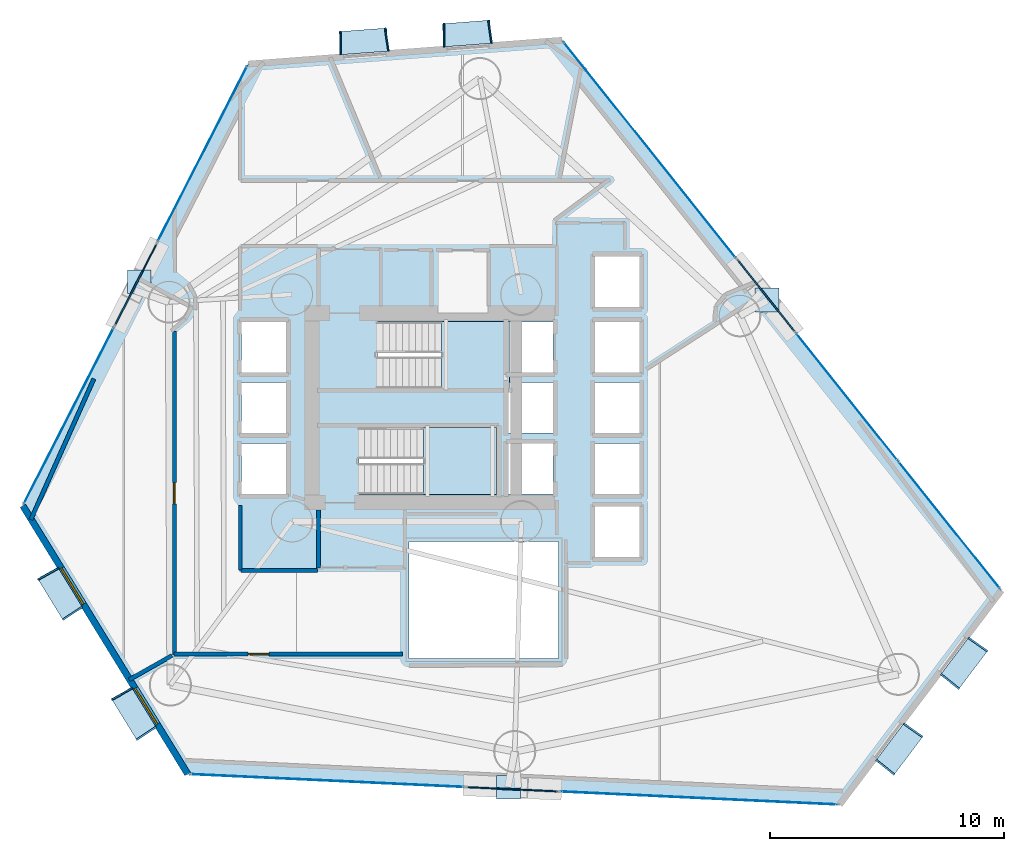
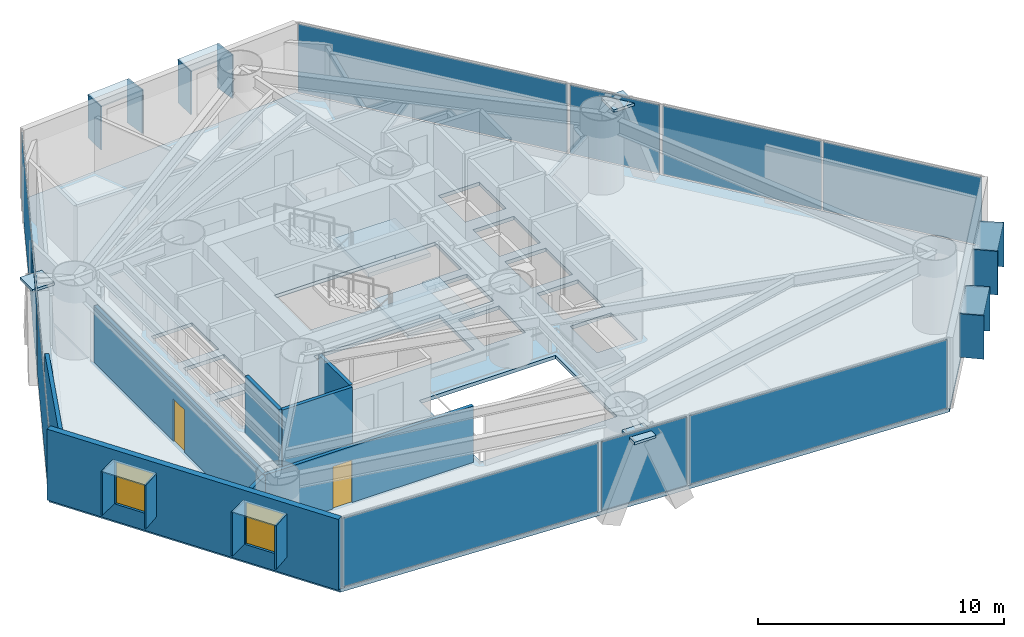
# One storey, part 16 of 23: 31 plates, 8 walls, 3 slabs, 2 doors, 2 windows, 4 openings, 11 elements without a shape of their own.
"""IFC4 building model written with IfcOpenShell, lengths in metres."""

import ifcopenshell
import ifcopenshell.guid

model = None  # the IFC model being written
_history = None  # IfcOwnerHistory: only IFC2X3 demands one
_inside = {}  # id of a spatial element -> (the spatial element, [elements in it])
_under = {}  # id of a project, library or spatial element -> (it, [spatial elements below it])
_declared = {}  # id of a project -> (the project, [libraries it declares])
_typed = {}  # id of a type object -> (the type object, [elements of that type])
_made_of = {}  # id of a material, layer set ... -> (it, [elements and type objects made of it])


def new_model(schema):
    """Start an empty IFC model of exactly this schema.

    Asked for "IFC4X3", IfcOpenShell would pick the latest addendum, in which some entities
    have other attributes; the version numbers below select the first issue.
    IFC2X3 requires an IfcOwnerHistory on every rooted entity: one is made here for all.
    """
    global model, _history
    if schema == "IFC4X3":
        model = ifcopenshell.file(schema_version=(4, 3, 0, 0))
    else:
        model = ifcopenshell.file(schema=schema)
    _inside.clear()
    _under.clear()
    _declared.clear()
    _typed.clear()
    _made_of.clear()
    _history = None
    if model.schema == "IFC2X3":
        org = make("IfcOrganization", Name="unknown")
        user = make(
            "IfcPersonAndOrganization",
            ThePerson=make("IfcPerson", FamilyName="unknown"),
            TheOrganization=org,
        )
        app = make(
            "IfcApplication",
            ApplicationDeveloper=org,
            Version="unknown",
            ApplicationFullName="unknown",
            ApplicationIdentifier="unknown",
        )
        _history = make(
            "IfcOwnerHistory",
            OwningUser=user,
            OwningApplication=app,
            ChangeAction="ADDED",
            CreationDate=0,
        )
    return model


def make(cls, **values):
    """One entity of the class cls with the attributes given. An attribute that is None is left unset."""
    return model.create_entity(
        cls, **{name: value for name, value in values.items() if value is not None}
    )


def rooted(cls, **values):
    """An entity with a GlobalId (a new one), such as an element, a storey or a relation."""
    return make(cls, GlobalId=ifcopenshell.guid.new(), OwnerHistory=_history, **values)


def si_unit(unit_type, name, prefix=None):
    """IfcSIUnit, for example si_unit("LENGTHUNIT", "METRE", prefix="MILLI")."""
    return make("IfcSIUnit", UnitType=unit_type, Prefix=prefix, Name=name)


def assignment(units):
    """IfcUnitAssignment: the units of a project."""
    return None if units is None else make("IfcUnitAssignment", Units=units)


def point(xyz):
    """IfcCartesianPoint."""
    return None if xyz is None else make("IfcCartesianPoint", Coordinates=xyz)


def direction(xyz):
    """IfcDirection."""
    return None if xyz is None else make("IfcDirection", DirectionRatios=xyz)


def frame(location, z_axis=None, x_axis=None):
    """IfcAxis2Placement3D, a coordinate frame: its origin and axes. An axis left out is left unset."""
    return make(
        "IfcAxis2Placement3D",
        Location=point(location),
        Axis=direction(z_axis),
        RefDirection=direction(x_axis),
    )


def frame_2d(location, x_axis=None):
    """IfcAxis2Placement2D, a coordinate frame in the plane: its origin and x axis."""
    return make(
        "IfcAxis2Placement2D", Location=point(location), RefDirection=direction(x_axis)
    )


def origin():
    """The frame at (0, 0, 0) with its axes left unset."""
    return frame((0.0, 0.0, 0.0))


def origin_2d():
    """The frame at (0, 0) in the plane with its x axis left unset."""
    return frame_2d((0.0, 0.0))


def place(relative_to, where):
    """IfcLocalPlacement: puts the frame where relative to a parent placement (None: the world)."""
    return make(
        "IfcLocalPlacement", PlacementRelTo=relative_to, RelativePlacement=where
    )


def context(
    kind, dimensions, precision=None, world=None, true_north=None, identifier=None
):
    """IfcGeometricRepresentationContext, for example the 3D "Model" context."""
    return make(
        "IfcGeometricRepresentationContext",
        ContextIdentifier=identifier,
        ContextType=kind,
        CoordinateSpaceDimension=dimensions,
        Precision=precision,
        WorldCoordinateSystem=world,
        TrueNorth=true_north,
    )


def subcontext(parent, identifier, kind, view, scale=None):
    """IfcGeometricRepresentationSubContext, for example "Body" below "Model"."""
    return make(
        "IfcGeometricRepresentationSubContext",
        ContextIdentifier=identifier,
        ContextType=kind,
        ParentContext=parent,
        TargetScale=scale,
        TargetView=view,
    )


def project(units=None, contexts=None):
    """IfcProject with its units and contexts."""
    return rooted(
        "IfcProject",
        Name="project",
        RepresentationContexts=contexts,
        UnitsInContext=assignment(units),
    )


def spatial(cls, under=None, at=None, **own):
    """A site, building, storey or space (cls), placed at a placement, below another one or the project."""
    s = rooted(cls, ObjectPlacement=at, **own)
    if under is not None:
        _under.setdefault(under.id(), (under, []))[1].append(s)
    return s


def polyline(points):
    """IfcPolyline through the points."""
    return make("IfcPolyline", Points=[point(p) for p in points])


def profile(cls, at=None, kind="AREA", **sizes):
    """A parametric profile (cls). Its sizes go by their IFC names, for example OverallWidth=200.0."""
    return make(cls, ProfileType=kind, Position=at, **sizes)


def rectangle(**sizes):
    """IfcRectangleProfileDef."""
    return profile("IfcRectangleProfileDef", **sizes)


def outline(outer, holes=None, kind="AREA"):
    """IfcArbitraryClosedProfileDef: a profile drawn as a closed curve; with holes, ...WithVoids."""
    if holes is None:
        return make("IfcArbitraryClosedProfileDef", ProfileType=kind, OuterCurve=outer)
    return make(
        "IfcArbitraryProfileDefWithVoids",
        ProfileType=kind,
        OuterCurve=outer,
        InnerCurves=holes,
    )


def extrude(swept, where, along, depth):
    """IfcExtrudedAreaSolid: the profile swept, set in the frame where, extruded along a direction by depth."""
    return make(
        "IfcExtrudedAreaSolid",
        SweptArea=swept,
        Position=where,
        ExtrudedDirection=direction(along),
        Depth=depth,
    )


def shape(context_of_items, identifier, shape_type, items):
    """IfcShapeRepresentation: the items that make up one representation, for example the "Body"."""
    return make(
        "IfcShapeRepresentation",
        ContextOfItems=context_of_items,
        RepresentationIdentifier=identifier,
        RepresentationType=shape_type,
        Items=items,
    )


def material(Name=None, Category=None):
    """IfcMaterial."""
    return make("IfcMaterial", Name=Name, Category=Category)


def layer(
    of_material, thickness, ventilated=None, Name=None, Category=None, Priority=None
):
    """IfcMaterialLayer: one layer of a wall or slab, of a material (None: an air gap)."""
    return make(
        "IfcMaterialLayer",
        Material=of_material,
        LayerThickness=thickness,
        IsVentilated=ventilated,
        Name=Name,
        Category=Category,
        Priority=Priority,
    )


def layer_set(layers, Name=None):
    """IfcMaterialLayerSet."""
    return make("IfcMaterialLayerSet", MaterialLayers=layers, LayerSetName=Name)


def made_of(thing, what):
    """Note that an element or type object is made of a material, layer set ...; save() writes the relation."""
    if what is not None:
        _made_of.setdefault(what.id(), (what, []))[1].append(thing)
    return thing


def type_object(cls, material=None, **own):
    """A type object (cls), such as IfcWallType, which elements share."""
    return made_of(rooted(cls, **own), material)


def element(
    cls,
    number,
    at=None,
    inside=None,
    cuts=None,
    type_object=None,
    material=None,
    context=None,
    identifier="Body",
    shape_type=None,
    held_by="IfcProductDefinitionShape",
    body=None,
    shapes=None,
    **own,
):
    """One element of the class cls, such as IfcWall. Its Tag is "e" and its number.

    at: its placement. inside: the storey or other place that contains it. cuts: it is an
    opening in that element (IfcRelVoidsElement). A single representation is given by context,
    identifier, shape_type and body (its items); several are given by shapes. held_by: the class
    of the entity that holds the representations. save() writes the other relations.
    """
    e = rooted(cls, Tag="e%d" % number, ObjectPlacement=at, **own)
    if body is not None:
        shapes = [shape(context, identifier, shape_type, body)]
    if shapes is not None:
        e.Representation = make(held_by, Representations=shapes)
    if inside is not None:
        _inside.setdefault(inside.id(), (inside, []))[1].append(e)
    if cuts is not None:
        rooted(
            "IfcRelVoidsElement", RelatingBuildingElement=cuts, RelatedOpeningElement=e
        )
    if type_object is not None:
        _typed.setdefault(type_object.id(), (type_object, []))[1].append(e)
    return made_of(e, material)


def fill(opening, filler):
    """IfcRelFillsElement: the door or window that sits in an opening."""
    return rooted(
        "IfcRelFillsElement",
        RelatingOpeningElement=opening,
        RelatedBuildingElement=filler,
    )


def aggregate(whole, parts):
    """IfcRelAggregates: a whole, such as a stair, and the parts it consists of."""
    return rooted("IfcRelAggregates", RelatingObject=whole, RelatedObjects=parts)


def save(model, path):
    """Write the relations noted so far, then the file.

    IfcRelAggregates (storeys below a building ...), IfcRelContainedInSpatialStructure (elements
    in a storey), IfcRelDefinesByType, IfcRelAssociatesMaterial and IfcRelDeclares: one each for
    every whole, place, type object, material and project.
    """
    for whole, parts in _under.values():
        aggregate(whole, parts)
    for where, things in _inside.values():
        rooted(
            "IfcRelContainedInSpatialStructure",
            RelatedElements=things,
            RelatingStructure=where,
        )
    for kind, things in _typed.values():
        rooted("IfcRelDefinesByType", RelatedObjects=things, RelatingType=kind)
    for what, things in _made_of.values():
        rooted("IfcRelAssociatesMaterial", RelatedObjects=things, RelatingMaterial=what)
    for by, libraries in _declared.values():
        rooted("IfcRelDeclares", RelatingContext=by, RelatedDefinitions=libraries)
    model.write(path)


model = new_model("IFC4")

# Units and contexts
model_context = context("Model", 3, precision=1e-05, world=origin(), true_north=direction((0.0, 1.0)))
body_context = subcontext(model_context, "Body", "Model", "MODEL_VIEW")
ifc_project = project(units=[si_unit("LENGTHUNIT", "METRE"), si_unit("AREAUNIT", "SQUARE_METRE"), si_unit("VOLUMEUNIT", "CUBIC_METRE"), si_unit("PLANEANGLEUNIT", "RADIAN"), si_unit("MASSUNIT", "GRAM", prefix="KILO")], contexts=[model_context])

# Site, building, storey
site_placement = place(None, origin())
site = spatial("IfcSite", under=ifc_project, at=site_placement, CompositionType="ELEMENT")
building_placement = place(site_placement, origin())
building = spatial("IfcBuilding", under=site, at=building_placement, Name="Qianvela Tower", CompositionType="ELEMENT")
storey_placement = place(building_placement, frame((0.0, 0.0, 29.39990234375)))
storey = spatial("IfcBuildingStorey", under=building, at=storey_placement, Name="L06", CompositionType="ELEMENT", Elevation=29.39990234375)

# Curtain wall, plate
ifc_material_1 = material(Name="Anodised Architectural Aluminium and Insulated Spandrel Panel", Category="aluminium")
ifc_layer_1 = layer(ifc_material_1, 0.179931640625)
ifc_layer_set_1 = layer_set([ifc_layer_1], Name="Anodised Architectural Aluminium and Insulated Spandrel Panel")
curtain_wall_type_1 = type_object("IfcCurtainWallType", Name="CW-BRACEBAY", PredefinedType="USERDEFINED", material=ifc_layer_set_1)
curtain_wall_1_placement = place(storey_placement, origin())
curtain_wall_1 = element("IfcCurtainWall", 1, at=curtain_wall_1_placement, inside=storey, type_object=curtain_wall_type_1, Name="L06 CW-BRACEBAY Curtain Wall 02B", ObjectType="CURTAIN_WALL_SYSTEM", PredefinedType="USERDEFINED")
ifc_material_2 = material(Name="Insulated Aluminium Spandrel Panel with Mineral-Wool Backpan", Category="aluminium")
ifc_layer_2 = layer(ifc_material_2, 0.06005859375)
ifc_layer_set_2 = layer_set([ifc_layer_2], Name="Insulated Aluminium Spandrel Panel with Mineral-Wool Backpan")
plate_type_1 = type_object("IfcPlateType", Name="CW-BRACEBAY-PNL", PredefinedType="CURTAIN_PANEL", material=ifc_layer_set_2)
plate_1_placement = place(storey_placement, frame((48.855712890625, 33.507080078125, 0.06494140625), z_axis=(0.0, 0.0, 1.0), x_axis=(-0.623974568634, 0.781444647879, 0.0)))
plate_1 = element("IfcPlate", 2, at=plate_1_placement, type_object=plate_type_1, Name="CW-9 panel 1.1", PredefinedType="CURTAIN_PANEL", context=body_context, shape_type="SweptSolid", body=[
    extrude(rectangle(XDim=3.89990234375, YDim=0.06005859375, at=origin_2d()), origin(), (0.0, 0.0, 1.0), 3.389892578125),
])
aggregate(curtain_wall_1, [plate_1])

curtain_wall_2_placement = place(storey_placement, origin())
curtain_wall_2 = element("IfcCurtainWall", 3, at=curtain_wall_2_placement, inside=storey, type_object=curtain_wall_type_1, Name="L06 CW-BRACEBAY Curtain Wall 04B", ObjectType="CURTAIN_WALL_SYSTEM", PredefinedType="USERDEFINED")
plate_2_placement = place(storey_placement, frame((21.921875, 33.974365234375, 0.06494140625), z_axis=(0.0, 0.0, 1.0), x_axis=(-0.454612576201, -0.890689286766, 0.0)))
plate_2 = element("IfcPlate", 4, at=plate_2_placement, type_object=plate_type_1, Name="CW-9 panel 1.1", PredefinedType="CURTAIN_PANEL", context=body_context, shape_type="SweptSolid", body=[
    extrude(rectangle(XDim=3.900146484375, YDim=0.06005859375, at=origin_2d()), origin(), (0.0, 0.0, 1.0), 3.389892578125),
])
aggregate(curtain_wall_2, [plate_2])

curtain_wall_3_placement = place(storey_placement, origin())
curtain_wall_3 = element("IfcCurtainWall", 5, at=curtain_wall_3_placement, inside=storey, type_object=curtain_wall_type_1, Name="L06 CW-BRACEBAY Curtain Wall 06B", ObjectType="CURTAIN_WALL_SYSTEM", PredefinedType="USERDEFINED")
plate_3_placement = place(storey_placement, frame((38.021240234375, 12.402587890625, 0.06494140625), z_axis=(0.0, 0.0, 1.0), x_axis=(0.998899689834, -0.046897864023, 0.0)))
plate_3 = element("IfcPlate", 6, at=plate_3_placement, type_object=plate_type_1, Name="CW-9 panel 1.1", PredefinedType="CURTAIN_PANEL", context=body_context, shape_type="SweptSolid", body=[
    extrude(rectangle(XDim=3.900146484375, YDim=0.06005859375, at=origin_2d()), origin(), (0.0, 0.0, 1.0), 3.389892578125),
])
aggregate(curtain_wall_3, [plate_3])

# Curtain wall, plates
ifc_material_3 = material(Name="Anodised Architectural Aluminium and Low-E Glass", Category="aluminium")
ifc_layer_3 = layer(ifc_material_3, 0.179931640625)
ifc_layer_set_3 = layer_set([ifc_layer_3], Name="Anodised Architectural Aluminium and Low-E Glass")
curtain_wall_type_2 = type_object("IfcCurtainWallType", Name="CW-COLIV-Z12", PredefinedType="USERDEFINED", material=ifc_layer_set_3)
curtain_wall_4_placement = place(storey_placement, origin())
curtain_wall_4 = element("IfcCurtainWall", 7, at=curtain_wall_4_placement, inside=storey, type_object=curtain_wall_type_2, Name="L06 CW-COLIV-Z12 Curtain Wall 02A", ObjectType="CURTAIN_WALL_SYSTEM", PredefinedType="USERDEFINED")
ifc_material_4 = material(Name="Double-Silver Low-E Insulated Glass", Category="glass")
ifc_layer_4 = layer(ifc_material_4, 0.030029296875)
ifc_layer_set_4 = layer_set([ifc_layer_4], Name="Double-Silver Low-E Insulated Glass")
plate_type_2 = type_object("IfcPlateType", Name="CW-COLIV-Z12-PNL", PredefinedType="CURTAIN_PANEL", material=ifc_layer_set_4)
plate_4_placement = place(storey_placement, frame((56.681884765625, 23.705810546875, 0.06494140625), z_axis=(0.0, 0.0, 1.0), x_axis=(-0.623975738977, 0.781443713372, 0.0)))
plate_4 = element("IfcPlate", 8, at=plate_4_placement, type_object=plate_type_2, Name="CW-3 panel 1.1", PredefinedType="CURTAIN_PANEL", context=body_context, shape_type="SweptSolid", body=[
    extrude(rectangle(XDim=6.925048828125, YDim=0.030029296875, at=origin_2d()), origin(), (0.0, 0.0, 1.0), 3.389892578125),
])
plate_5_placement = place(storey_placement, frame((52.3173828125, 29.172119140625, 0.06494140625), z_axis=(0.0, 0.0, 1.0), x_axis=(-0.623975738977, 0.781443713372, 0.0)))
plate_5 = element("IfcPlate", 9, at=plate_5_placement, type_object=plate_type_2, Name="CW-3 panel 2.1", PredefinedType="CURTAIN_PANEL", context=body_context, shape_type="SweptSolid", body=[
    extrude(rectangle(XDim=6.925048828125, YDim=0.030029296875, at=origin_2d()), origin(), (0.0, 0.0, 1.0), 3.389892578125),
])
aggregate(curtain_wall_4, [plate_4, plate_5])

# Curtain wall, plate
curtain_wall_5_placement = place(storey_placement, origin())
curtain_wall_5 = element("IfcCurtainWall", 10, at=curtain_wall_5_placement, inside=storey, type_object=curtain_wall_type_2, Name="L06 CW-COLIV-Z12 Curtain Wall 02C", ObjectType="CURTAIN_WALL_SYSTEM", PredefinedType="USERDEFINED")
plate_6_placement = place(storey_placement, frame((43.888671875, 39.727783203125, 0.06494140625), z_axis=(0.0, 0.0, 1.0), x_axis=(-0.623974839009, 0.781444431987, 0.0)))
plate_6 = element("IfcPlate", 11, at=plate_6_placement, type_object=plate_type_2, Name="CW-3 panel 1.1", PredefinedType="CURTAIN_PANEL", context=body_context, shape_type="SweptSolid", body=[
    extrude(rectangle(XDim=11.751220703125, YDim=0.030029296875, at=origin_2d()), origin(), (0.0, 0.0, 1.0), 3.389892578125),
])
aggregate(curtain_wall_5, [plate_6])

curtain_wall_6_placement = place(storey_placement, origin())
curtain_wall_6 = element("IfcCurtainWall", 12, at=curtain_wall_6_placement, inside=storey, type_object=curtain_wall_type_2, Name="L06 CW-COLIV-Z12 Curtain Wall 04A", ObjectType="CURTAIN_WALL_SYSTEM", PredefinedType="USERDEFINED")
plate_7_placement = place(storey_placement, frame((24.7724609375, 39.55908203125, 0.06494140625), z_axis=(0.0, 0.0, 1.0), x_axis=(-0.454615329626, -0.890687881398, 0.0)))
plate_7 = element("IfcPlate", 13, at=plate_7_placement, type_object=plate_type_2, Name="CW-3 panel 1.1", PredefinedType="CURTAIN_PANEL", context=body_context, shape_type="SweptSolid", body=[
    extrude(rectangle(XDim=8.3701171875, YDim=0.030029296875, at=origin_2d()), origin(), (0.0, 0.0, 1.0), 3.389892578125),
])
aggregate(curtain_wall_6, [plate_7])

curtain_wall_7_placement = place(storey_placement, origin())
curtain_wall_7 = element("IfcCurtainWall", 14, at=curtain_wall_7_placement, inside=storey, type_object=curtain_wall_type_2, Name="L06 CW-COLIV-Z12 Curtain Wall 04C", ObjectType="CURTAIN_WALL_SYSTEM", PredefinedType="USERDEFINED")
plate_8_placement = place(storey_placement, frame((19.06201171875, 28.371337890625, 0.06494140625), z_axis=(0.0, 0.0, 1.0), x_axis=(-0.45461690116, -0.89068707927, 0.0)))
plate_8 = element("IfcPlate", 15, at=plate_8_placement, type_object=plate_type_2, Name="CW-3 panel 1.1", PredefinedType="CURTAIN_PANEL", context=body_context, shape_type="SweptSolid", body=[
    extrude(rectangle(XDim=8.411376953125, YDim=0.030029296875, at=origin_2d()), origin(), (0.0, 0.0, 1.0), 3.389892578125),
])
aggregate(curtain_wall_7, [plate_8])

curtain_wall_8_placement = place(storey_placement, origin())
curtain_wall_8 = element("IfcCurtainWall", 16, at=curtain_wall_8_placement, inside=storey, type_object=curtain_wall_type_2, Name="L06 CW-COLIV-Z12 Curtain Wall 06A", ObjectType="CURTAIN_WALL_SYSTEM", PredefinedType="USERDEFINED")
plate_9_placement = place(storey_placement, frame((30.099853515625, 12.7744140625, 0.06494140625), z_axis=(0.0, 0.0, 1.0), x_axis=(0.998900491633, -0.046880783003, 0.0)))
plate_9 = element("IfcPlate", 17, at=plate_9_placement, type_object=plate_type_2, Name="CW-3 panel 1.1", PredefinedType="CURTAIN_PANEL", context=body_context, shape_type="SweptSolid", body=[
    extrude(rectangle(XDim=11.68994140625, YDim=0.030029296875, at=origin_2d()), origin(), (0.0, 0.0, 1.0), 3.389892578125),
])
aggregate(curtain_wall_8, [plate_9])

curtain_wall_9_placement = place(storey_placement, origin())
curtain_wall_9 = element("IfcCurtainWall", 18, at=curtain_wall_9_placement, inside=storey, type_object=curtain_wall_type_2, Name="L06 CW-COLIV-Z12 Curtain Wall 06C", ObjectType="CURTAIN_WALL_SYSTEM", PredefinedType="USERDEFINED")
plate_10_placement = place(storey_placement, frame((45.99169921875, 12.0283203125, 0.06494140625), z_axis=(0.0, 0.0, 1.0), x_axis=(0.99890054445, -0.046879657614, 0.0)))
plate_10 = element("IfcPlate", 19, at=plate_10_placement, type_object=plate_type_2, Name="CW-3 panel 1.1", PredefinedType="CURTAIN_PANEL", context=body_context, shape_type="SweptSolid", body=[
    extrude(rectangle(XDim=11.788330078125, YDim=0.030029296875, at=origin_2d()), origin(), (0.0, 0.0, 1.0), 3.389892578125),
])
aggregate(curtain_wall_9, [plate_10])

# Plates
ifc_material_5 = material(Name="Steel Q420GJC", Category="steel")
ifc_layer_5 = layer(ifc_material_5, 0.1298828125)
ifc_layer_set_5 = layer_set([ifc_layer_5], Name="Steel Q420GJC")
plate_type_3 = type_object("IfcPlateType", Name="PT-ENDCAP-130", PredefinedType="USERDEFINED", material=ifc_layer_set_5)
for number, where, z_axis, x_axis, name in (
    (20, (48.90478515625, 33.3173828125, 3.158935546875), (0.0, 0.0, 1.0), (1.0, 0.0, 0.0), "L06 Hollow Section End Cap Plate B"),
    (21, (22.073486328125, 34.09521484375, 3.15869140625), (0.0, 0.0, 1.0), (1.0, 0.0, 0.0), "L06 Hollow Section End Cap Plate B"),
    (22, (37.8505859375, 12.490478515625, 3.15869140625), (0.0, 0.0, 1.0), (1.0, 0.0, 0.0), "L06 Hollow Section End Cap Plate B"),
):
    element("IfcPlate", number, at=place(storey_placement, frame(where, z_axis=z_axis, x_axis=x_axis)), inside=storey, type_object=plate_type_3, Name=name, ObjectType="END_CAP", PredefinedType="USERDEFINED", context=body_context, shape_type="SweptSolid", body=[
        extrude(rectangle(XDim=1.02001953125, YDim=1.02001953125, at=origin_2d()), origin(), (0.0, 0.0, 1.0), 0.1298828125),
    ])

# Slab
ifc_material_6 = material(Name="Concrete C40", Category="concrete")
ifc_layer_6 = layer(ifc_material_6, 0.179931640625)
ifc_layer_set_6 = layer_set([ifc_layer_6], Name="Concrete C40")
slab_type_1 = type_object("IfcSlabType", Name="SL-FLOOR-180", PredefinedType="FLOOR", material=ifc_layer_set_6)
slab_1_placement = place(storey_placement, frame((0.0, 0.0, -0.179931640625)))
element("IfcSlab", 23, at=slab_1_placement, inside=storey, type_object=slab_type_1, Name="L06 Composite Structural Floor Slab", PredefinedType="FLOOR", context=body_context, shape_type="SweptSolid", body=[
    extrude(outline(polyline([(51.999267578125, 11.74658203125), (58.91748046875, 20.90625), (40.1474609375, 44.4130859375), (26.7294921875, 43.393310546875), (17.095703125, 24.5185546875), (24.1416015625, 13.053955078125), (51.999267578125, 11.74658203125)]), holes=[polyline([(40.0, 23.0), (33.60009765625, 23.0), (33.60009765625, 18.0), (40.0, 18.0), (40.0, 23.0)]), polyline([(28.360107421875, 25.02001953125), (28.360107421875, 27.179931640625), (26.43994140625, 27.179931640625), (26.43994140625, 25.02001953125), (28.360107421875, 25.02001953125)]), polyline([(37.35009765625, 25.0), (37.35009765625, 27.860107421875), (31.469970703125, 27.860107421875), (31.469970703125, 25.0), (37.35009765625, 25.0)]), polyline([(28.360107421875, 27.6201171875), (28.360107421875, 29.780029296875), (26.43994140625, 29.780029296875), (26.43994140625, 27.6201171875), (28.360107421875, 27.6201171875)]), polyline([(37.89990234375, 32.3798828125), (37.89990234375, 32.39990234375), (32.25, 32.39990234375), (32.25, 29.5400390625), (37.840087890625, 29.5400390625), (37.840087890625, 27.6201171875), (39.760009765625, 27.6201171875), (39.760009765625, 29.780029296875), (37.89990234375, 29.780029296875), (37.89990234375, 30.219970703125), (39.760009765625, 30.219970703125), (39.760009765625, 32.3798828125), (37.89990234375, 32.3798828125)]), polyline([(28.360107421875, 30.219970703125), (28.360107421875, 32.3798828125), (26.43994140625, 32.3798828125), (26.43994140625, 30.219970703125), (28.360107421875, 30.219970703125)]), polyline([(43.4599609375, 24.47998046875), (41.5400390625, 24.47998046875), (41.5400390625, 22.320068359375), (43.4599609375, 22.320068359375), (43.4599609375, 24.47998046875)]), polyline([(39.760009765625, 25.02001953125), (39.760009765625, 27.179931640625), (37.840087890625, 27.179931640625), (37.840087890625, 25.02001953125), (39.760009765625, 25.02001953125)]), polyline([(43.4599609375, 25.02001953125), (43.4599609375, 27.179931640625), (41.5400390625, 27.179931640625), (41.5400390625, 25.02001953125), (43.4599609375, 25.02001953125)]), polyline([(43.4599609375, 27.6201171875), (43.4599609375, 29.780029296875), (41.5400390625, 29.780029296875), (41.5400390625, 27.6201171875), (43.4599609375, 27.6201171875)]), polyline([(43.4599609375, 30.219970703125), (43.4599609375, 32.3798828125), (41.5400390625, 32.3798828125), (41.5400390625, 30.219970703125), (43.4599609375, 30.219970703125)]), polyline([(43.4599609375, 33.02001953125), (43.4599609375, 35.179931640625), (41.5400390625, 35.179931640625), (41.5400390625, 33.02001953125), (43.4599609375, 33.02001953125)])]), origin(), (0.0, 0.0, 1.0), 0.179931640625),
])

# Stair, slab
ifc_material_7 = material(Name="Concrete C40", Category="concrete")
stair_type = type_object("IfcStairType", Name="ST-DOGLEG-1350-R168-N22", PredefinedType="HALF_TURN_STAIR", material=ifc_material_7)
stair_1_placement = place(storey_placement, origin())
stair_1 = element("IfcStair", 24, at=stair_1_placement, inside=storey, type_object=stair_type, Name="L06 Smoke-Proof Core Stair ST-1", PredefinedType="HALF_TURN_STAIR")
ifc_material_8 = material(Name="Concrete C40", Category="concrete")
ifc_layer_7 = layer(ifc_material_8, 0.199951171875)
ifc_layer_set_7 = layer_set([ifc_layer_7], Name="Concrete C40")
slab_type_2 = type_object("IfcSlabType", Name="SL-STAIR-LANDING-200", PredefinedType="LANDING", material=ifc_layer_set_7)
slab_2_placement = place(storey_placement, frame((0.0, 0.0, 1.650146484375)))
slab_2 = element("IfcSlab", 25, at=slab_2_placement, type_object=slab_type_2, Name="ST-1 landing 1", PredefinedType="LANDING", context=body_context, shape_type="SweptSolid", body=[
    extrude(outline(polyline([(35.0, 29.5400390625), (37.89990234375, 29.5400390625), (37.89990234375, 32.39990234375), (35.0, 32.39990234375), (35.0, 29.5400390625)])), origin(), (0.0, 0.0, 1.0), 0.199951171875),
])
aggregate(stair_1, [slab_2])

stair_2_placement = place(storey_placement, origin())
stair_2 = element("IfcStair", 26, at=stair_2_placement, inside=storey, type_object=stair_type, Name="L06 Smoke-Proof Core Stair ST-2", PredefinedType="HALF_TURN_STAIR")
slab_3_placement = place(storey_placement, frame((0.0, 0.0, 1.650146484375)))
slab_3 = element("IfcSlab", 27, at=slab_3_placement, type_object=slab_type_2, Name="ST-2 landing 1", PredefinedType="LANDING", context=body_context, shape_type="SweptSolid", body=[
    extrude(outline(polyline([(34.219970703125, 25.0), (37.35009765625, 25.0), (37.35009765625, 27.860107421875), (34.219970703125, 27.860107421875), (34.219970703125, 25.0)])), origin(), (0.0, 0.0, 1.0), 0.199951171875),
])
aggregate(stair_2, [slab_3])

# Plates
ifc_material_9 = material(Name="Vitrified Architectural Terracotta Panel", Category="masonry")
ifc_layer_8 = layer(ifc_material_9, 0.06005859375)
ifc_layer_set_8 = layer_set([ifc_layer_8], Name="Vitrified Architectural Terracotta Panel")
plate_type_4 = type_object("IfcPlateType", Name="TERRACOTTA-SUNSHADE-HOOD-FOLD-A", PredefinedType="USERDEFINED", material=ifc_layer_set_8)
for number, where, z_axis, x_axis, name in (
    (28, (36.076904296875, 44.700439453125, 2.9599609375), (0.0, 0.0, 1.0), (-0.997124879887, -0.07577581349, 0.0), "L06 Terracotta Sunshade Hood FOLD-A"),
    (29, (31.6669921875, 44.365234375, 2.9599609375), (0.0, 0.0, 1.0), (-0.997124879887, -0.07577581349, 0.0), "L06 Terracotta Sunshade Hood FOLD-A"),
):
    element("IfcPlate", number, at=place(storey_placement, frame(where, z_axis=z_axis, x_axis=x_axis)), inside=storey, type_object=plate_type_4, Name=name, ObjectType="SUNSHADE", PredefinedType="USERDEFINED", context=body_context, shape_type="SweptSolid", body=[
        extrude(rectangle(XDim=2.0400390625, YDim=0.989990234375, at=origin_2d()), origin(), (0.0, 0.0, 1.0), 0.06005859375),
    ])
ifc_material_10 = material(Name="Vitrified Architectural Terracotta Panel", Category="masonry")
ifc_layer_9 = layer(ifc_material_10, 0.070068359375)
ifc_layer_set_9 = layer_set([ifc_layer_9], Name="Vitrified Architectural Terracotta Panel")
plate_type_5 = type_object("IfcPlateType", Name="TERRACOTTA-SUNSHADE-HOOD-FOLD-C", PredefinedType="USERDEFINED", material=ifc_layer_set_9)
for number, where, z_axis, x_axis, name in (
    (30, (54.549560546875, 14.1357421875, 2.9599609375), (0.0, 0.0, 1.0), (0.602692804778, 0.797973297215, 0.0), "L06 Terracotta Sunshade Hood FOLD-C"),
    (31, (57.316650390625, 17.7998046875, 2.9599609375), (0.0, 0.0, 1.0), (0.602692804778, 0.797973297215, 0.0), "L06 Terracotta Sunshade Hood FOLD-C"),
    (32, (18.702392578125, 20.767578125, 2.9599609375), (0.0, 0.0, 1.0), (0.523599350611, -0.851964623702, 0.0), "L06 Terracotta Sunshade Hood FOLD-C"),
    (33, (21.85595703125, 15.636474609375, 2.9599609375), (0.0, 0.0, 1.0), (0.523599350611, -0.851964623702, 0.0), "L06 Terracotta Sunshade Hood FOLD-C"),
):
    element("IfcPlate", number, at=place(storey_placement, frame(where, z_axis=z_axis, x_axis=x_axis)), inside=storey, type_object=plate_type_5, Name=name, ObjectType="SUNSHADE", PredefinedType="USERDEFINED", context=body_context, shape_type="SweptSolid", body=[
        extrude(rectangle(XDim=2.0400390625, YDim=0.989990234375, at=origin_2d()), origin(), (0.0, 0.0, 1.0), 0.06005859375),
    ])
ifc_material_11 = material(Name="Vitrified Architectural Terracotta Side Fin Panel", Category="masonry")
ifc_layer_10 = layer(ifc_material_11, 0.06494140625)
ifc_layer_set_10 = layer_set([ifc_layer_10], Name="Vitrified Architectural Terracotta Side Fin Panel")
plate_type_6 = type_object("IfcPlateType", Name="TERRACOTTA-SUNSHADE-STRUT-FOLD-A", PredefinedType="USERDEFINED", material=ifc_layer_set_10)
for number, where, z_axis, x_axis, name in (
    (34, (37.064208984375, 44.775390625, 0.85009765625), (0.0, 0.0, 1.0), (-0.989410080251, -0.14514714292, 0.0), "L06 Terracotta Sunshade Side Fin HL FOLD-A"),
    (35, (35.08984375, 44.62548828125, 0.85009765625), (0.0, 0.0, 1.0), (-0.999981787339, -0.006035311913, 0.0), "L06 Terracotta Sunshade Side Fin HR FOLD-A"),
    (36, (32.654296875, 44.4404296875, 0.85009765625), (0.0, 0.0, 1.0), (-0.989410080251, -0.14514714292, 0.0), "L06 Terracotta Sunshade Side Fin HL FOLD-A"),
    (37, (30.679931640625, 44.290283203125, 0.85009765625), (0.0, 0.0, 1.0), (-0.999981787339, -0.006035311913, 0.0), "L06 Terracotta Sunshade Side Fin HR FOLD-A"),
):
    element("IfcPlate", number, at=place(storey_placement, frame(where, z_axis=z_axis, x_axis=x_axis)), inside=storey, type_object=plate_type_6, Name=name, ObjectType="SUNSHADE", PredefinedType="USERDEFINED", context=body_context, shape_type="SweptSolid", body=[
        extrude(rectangle(XDim=0.06494140625, YDim=1.010009765625, at=origin_2d()), origin(), (0.0, 0.0, 1.0), 2.159912109375),
    ])
ifc_material_12 = material(Name="Vitrified Architectural Terracotta Side Fin Panel", Category="masonry")
ifc_layer_11 = layer(ifc_material_12, 0.074951171875)
ifc_layer_set_11 = layer_set([ifc_layer_11], Name="Vitrified Architectural Terracotta Side Fin Panel")
plate_type_7 = type_object("IfcPlateType", Name="TERRACOTTA-SUNSHADE-STRUT-FOLD-C", PredefinedType="USERDEFINED", material=ifc_layer_set_11)
for number, where, z_axis, x_axis, name in (
    (38, (53.952880859375, 13.345703125, 0.85009765625), (0.0, 0.0, 1.0), (0.63017452706, 0.77645351789, 0.0), "L06 Terracotta Sunshade Side Fin HL FOLD-C"),
    (39, (55.14599609375, 14.92578125, 0.85009765625), (0.0, 0.0, 1.0), (0.574476794151, 0.818520868996, 0.0), "L06 Terracotta Sunshade Side Fin HR FOLD-C"),
    (40, (56.72021484375, 17.009765625, 0.85009765625), (0.0, 0.0, 1.0), (0.63017452706, 0.77645351789, 0.0), "L06 Terracotta Sunshade Side Fin HL FOLD-C"),
    (41, (57.913330078125, 18.58984375, 0.85009765625), (0.0, 0.0, 1.0), (0.574476794151, 0.818520868996, 0.0), "L06 Terracotta Sunshade Side Fin HR FOLD-C"),
    (42, (18.18408203125, 21.611083984375, 0.85009765625), (0.0, 0.0, 1.0), (0.493547251458, -0.869718983683, 0.0), "L06 Terracotta Sunshade Side Fin HL FOLD-C"),
    (43, (19.220703125, 19.924072265625, 0.85009765625), (0.0, 0.0, 1.0), (0.553013524609, -0.833172276063, 0.0), "L06 Terracotta Sunshade Side Fin HR FOLD-C"),
    (44, (21.337646484375, 16.47998046875, 0.85009765625), (0.0, 0.0, 1.0), (0.493547251458, -0.869718983683, 0.0), "L06 Terracotta Sunshade Side Fin HL FOLD-C"),
    (45, (22.374267578125, 14.79296875, 0.85009765625), (0.0, 0.0, 1.0), (0.553013524609, -0.833172276063, 0.0), "L06 Terracotta Sunshade Side Fin HR FOLD-C"),
):
    element("IfcPlate", number, at=place(storey_placement, frame(where, z_axis=z_axis, x_axis=x_axis)), inside=storey, type_object=plate_type_7, Name=name, ObjectType="SUNSHADE", PredefinedType="USERDEFINED", context=body_context, shape_type="SweptSolid", body=[
        extrude(rectangle(XDim=0.074951171875, YDim=1.010009765625, at=origin_2d()), origin(), (0.0, 0.0, 1.0), 2.159912109375),
    ])

# Wall, openings, windows
ifc_material_13 = material(Name="Terracotta Cladding on Concrete C40", Category="masonry")
ifc_layer_12 = layer(ifc_material_13, 0.280029296875)
ifc_layer_set_12 = layer_set([ifc_layer_12], Name="Terracotta Cladding on Concrete C40")
wall_type_1 = type_object("IfcWallType", Name="TERRACOTTA-WALL-280", PredefinedType="SOLIDWALL", material=ifc_layer_set_12)
wall_1_placement = place(storey_placement, frame((17.095703125, 24.5185546875, 0.0), z_axis=(0.0, 0.0, 1.0), x_axis=(0.523599306322, -0.851964650921, 0.0)))
wall_1 = element("IfcWall", 46, at=wall_1_placement, inside=storey, type_object=wall_type_1, Name="L06 Terracotta Chamfer Facet Wall 5", PredefinedType="SOLIDWALL", context=body_context, shape_type="SweptSolid", body=[
    extrude(rectangle(XDim=13.45654296875, YDim=0.280029296875, at=frame_2d((6.728271484375, 0.0))), origin(), (0.0, 0.0, 1.0), 3.52001953125),
])
opening_1_placement = place(wall_1_placement, frame((3.136962890625, 0.0, 0.85009765625)))
opening_1 = element("IfcOpeningElement", 47, at=opening_1_placement, cuts=wall_1, Name="Opening W-01", PredefinedType="OPENING", context=body_context, shape_type="SweptSolid", body=[
    extrude(rectangle(XDim=1.800048828125, YDim=2.10009765625, at=frame_2d((0.89990234375, 1.050048828125))), frame((0.0, 0.14990234375, 0.0), z_axis=(0.0, -1.0, 0.0), x_axis=(1.0, 0.0, 0.0)), (0.0, 0.0, 1.0), 0.300048828125),
])
opening_2_placement = place(wall_1_placement, frame((9.15966796875, 0.0, 0.85009765625)))
opening_2 = element("IfcOpeningElement", 48, at=opening_2_placement, cuts=wall_1, Name="Opening W-01", PredefinedType="OPENING", context=body_context, shape_type="SweptSolid", body=[
    extrude(rectangle(XDim=1.800048828125, YDim=2.10009765625, at=frame_2d((0.89990234375, 1.050048828125))), frame((0.0, 0.14990234375, 0.0), z_axis=(0.0, -1.0, 0.0), x_axis=(1.0, 0.0, 0.0)), (0.0, 0.0, 1.0), 0.300048828125),
])
ifc_material_14 = material(Name="Thermally Broken Aluminium and Low-E Glass", Category="aluminium")
window_type = type_object("IfcWindowType", Name="WIN-TC-1800x2100", PartitioningType="DOUBLE_PANEL_VERTICAL", PredefinedType="WINDOW", material=ifc_material_14)
window_1_placement = place(opening_1_placement, origin())
window_1 = element("IfcWindow", 49, at=window_1_placement, inside=storey, type_object=window_type, Name="L06 Chamfer Facet Window 5.1", OverallHeight=2.10009765625, OverallWidth=1.800048828125, PartitioningType="SINGLE_PANEL", PredefinedType="WINDOW", context=body_context, shape_type="SweptSolid", body=[
    extrude(rectangle(XDim=1.800048828125, YDim=2.10009765625, at=frame_2d((0.89990234375, 1.050048828125))), frame((0.0, 0.030029296875, 0.0), z_axis=(0.0, -1.0, 0.0), x_axis=(1.0, 0.0, 0.0)), (0.0, 0.0, 1.0), 0.06005859375),
])
fill(opening_1, window_1)
window_2_placement = place(opening_2_placement, origin())
window_2 = element("IfcWindow", 50, at=window_2_placement, inside=storey, type_object=window_type, Name="L06 Chamfer Facet Window 5.2", OverallHeight=2.10009765625, OverallWidth=1.800048828125, PartitioningType="SINGLE_PANEL", PredefinedType="WINDOW", context=body_context, shape_type="SweptSolid", body=[
    extrude(rectangle(XDim=1.800048828125, YDim=2.10009765625, at=frame_2d((0.89990234375, 1.050048828125))), frame((0.0, 0.030029296875, 0.0), z_axis=(0.0, -1.0, 0.0), x_axis=(1.0, 0.0, 0.0)), (0.0, 0.0, 1.0), 0.06005859375),
])
fill(opening_2, window_2)

# Walls
ifc_material_15 = material(Name="Fire-Rated Gypsum and Concrete Block", Category="concrete")
ifc_layer_13 = layer(ifc_material_15, 0.159912109375)
ifc_layer_set_13 = layer_set([ifc_layer_13], Name="Fire-Rated Gypsum and Concrete Block")
wall_type_2 = type_object("IfcWallType", Name="WT-CORR-160", PredefinedType="PARTITIONING", material=ifc_layer_set_13)
wall_2_placement = place(storey_placement, frame((29.73095703125, 21.85009765625, 0.0), z_axis=(0.0, 0.0, 1.0), x_axis=(0.0, 1.0, 0.0)))
element("IfcWall", 51, at=wall_2_placement, inside=storey, type_object=wall_type_2, Name="L06 Partition 6", PredefinedType="PARTITIONING", context=body_context, shape_type="SweptSolid", body=[
    extrude(rectangle(XDim=2.491943359375, YDim=0.159912109375, at=frame_2d((1.24609375, 0.0))), origin(), (0.0, 0.0, 1.0), 2.840087890625),
])
wall_3_placement = place(storey_placement, frame((26.388916015625, 24.530517578125, 0.0), z_axis=(0.0, 0.0, 1.0), x_axis=(0.0, -1.0, 0.0)))
element("IfcWall", 52, at=wall_3_placement, inside=storey, type_object=wall_type_2, Name="L06 Partition 49", PredefinedType="PARTITIONING", context=body_context, shape_type="SweptSolid", body=[
    extrude(rectangle(XDim=2.75048828125, YDim=0.159912109375, at=frame_2d((1.375244140625, 0.0))), origin(), (0.0, 0.0, 1.0), 2.840087890625),
])
wall_4_placement = place(storey_placement, frame((26.419921875, 21.7490234375, 0.0), z_axis=(0.0, 0.0, 1.0), x_axis=(1.0, 0.0, 0.0)))
element("IfcWall", 53, at=wall_4_placement, inside=storey, type_object=wall_type_2, Name="L06 Partition 50 seg 1", PredefinedType="PARTITIONING", context=body_context, shape_type="SweptSolid", body=[
    extrude(rectangle(XDim=3.280029296875, YDim=0.159912109375, at=frame_2d((1.64013671875, 0.0))), origin(), (0.0, 0.0, 1.0), 2.840087890625),
])

# Wall, opening, door
wall_5_placement = place(storey_placement, frame((33.320068359375, 18.180908203125, 0.0), z_axis=(0.0, 0.0, 1.0), x_axis=(-1.0, 0.0, 0.0)))
wall_5 = element("IfcWall", 54, at=wall_5_placement, inside=storey, type_object=wall_type_2, Name="L06 Partition 51", PredefinedType="PARTITIONING", context=body_context, shape_type="SweptSolid", body=[
    extrude(rectangle(XDim=9.77001953125, YDim=0.159912109375, at=frame_2d((4.885009765625, 0.0))), origin(), (0.0, 0.0, 1.0), 2.798095703125),
])
opening_3_placement = place(wall_5_placement, frame((5.695068359375, 0.0, 0.0)))
opening_3 = element("IfcOpeningElement", 55, at=opening_3_placement, cuts=wall_5, Name="Opening D-KT1", PredefinedType="OPENING", context=body_context, shape_type="SweptSolid", body=[
    extrude(rectangle(XDim=0.89990234375, YDim=2.10009765625, at=frame_2d((0.449951171875, 1.050048828125))), frame((0.0, 0.08984375, 0.0), z_axis=(0.0, -1.0, 0.0), x_axis=(1.0, 0.0, 0.0)), (0.0, 0.0, 1.0), 0.179931640625),
])
ifc_material_16 = material(Name="Glazed Timber Kitchen Door", Category="wood")
door_type = type_object("IfcDoorType", Name="DT-KITCH-900", OperationType="NOTDEFINED", PredefinedType="DOOR", material=ifc_material_16)
door_1_placement = place(opening_3_placement, origin())
door_1 = element("IfcDoor", 56, at=door_1_placement, inside=storey, type_object=door_type, Name="L06 Door Student Tea Pantry L06-02 to L06 Floor Corridor", OperationType="SINGLE_SWING_LEFT", OverallHeight=2.10009765625, OverallWidth=0.89990234375, PredefinedType="DOOR", context=body_context, shape_type="SweptSolid", body=[
    extrude(rectangle(XDim=0.89990234375, YDim=2.10009765625, at=frame_2d((0.449951171875, 1.050048828125))), frame((0.0, 0.02490234375, 0.0), z_axis=(0.0, -1.0, 0.0), x_axis=(1.0, 0.0, 0.0)), (0.0, 0.0, 1.0), 0.050048828125),
])
fill(opening_3, door_1)

wall_6_placement = place(storey_placement, frame((23.5810546875, 18.14990234375, 0.0), z_axis=(0.0, 0.0, 1.0), x_axis=(0.0, 1.0, 0.0)))
wall_6 = element("IfcWall", 57, at=wall_6_placement, inside=storey, type_object=wall_type_2, Name="L06 Partition 52", PredefinedType="PARTITIONING", context=body_context, shape_type="SweptSolid", body=[
    extrude(rectangle(XDim=13.810302734375, YDim=0.159912109375, at=frame_2d((6.9052734375, 0.0))), origin(), (0.0, 0.0, 1.0), 2.798095703125),
])
opening_4_placement = place(wall_6_placement, frame((6.455078125, 0.0, 0.0)))
opening_4 = element("IfcOpeningElement", 58, at=opening_4_placement, cuts=wall_6, Name="Opening D-KT1", PredefinedType="OPENING", context=body_context, shape_type="SweptSolid", body=[
    extrude(rectangle(XDim=0.89990234375, YDim=2.10009765625, at=frame_2d((0.449951171875, 1.050048828125))), frame((0.0, 0.08984375, 0.0), z_axis=(0.0, -1.0, 0.0), x_axis=(1.0, 0.0, 0.0)), (0.0, 0.0, 1.0), 0.179931640625),
])
door_2_placement = place(opening_4_placement, origin())
door_2 = element("IfcDoor", 59, at=door_2_placement, inside=storey, type_object=door_type, Name="L06 Door Shared Communal Kitchen L06-01 to L06 Floor Corridor", OperationType="SINGLE_SWING_RIGHT", OverallHeight=2.10009765625, OverallWidth=0.89990234375, PredefinedType="DOOR", context=body_context, shape_type="SweptSolid", body=[
    extrude(rectangle(XDim=0.89990234375, YDim=2.10009765625, at=frame_2d((0.449951171875, 1.050048828125))), frame((0.0, 0.02490234375, 0.0), z_axis=(0.0, -1.0, 0.0), x_axis=(1.0, 0.0, 0.0)), (0.0, 0.0, 1.0), 0.050048828125),
])
fill(opening_4, door_2)

# Walls
ifc_material_17 = material(Name="Moisture-Resistant Acoustic Plumbing Wall")
ifc_layer_14 = layer(ifc_material_17, 0.175048828125)
ifc_layer_set_14 = layer_set([ifc_layer_14], Name="Moisture-Resistant Acoustic Plumbing Wall")
wall_type_3 = type_object("IfcWallType", Name="WT-PLUMB-175", PredefinedType="PLUMBINGWALL", material=ifc_layer_set_14)
wall_7_placement = place(storey_placement, frame((23.47509765625, 18.123779296875, 0.0), z_axis=(0.0, 0.0, 1.0), x_axis=(-0.869707412207, -0.493567641921, 0.0)))
element("IfcWall", 60, at=wall_7_placement, inside=storey, type_object=wall_type_3, Name="L06 Partition 59", PredefinedType="PLUMBINGWALL", context=body_context, shape_type="SweptSolid", body=[
    extrude(rectangle(XDim=2.108154296875, YDim=0.175048828125, at=frame_2d((1.05419921875, 0.0))), origin(), (0.0, 0.0, 1.0), 2.798095703125),
])
wall_8_placement = place(storey_placement, frame((17.439697265625, 23.92578125, 0.0), z_axis=(0.0, 0.0, 1.0), x_axis=(0.408647706238, 0.912692200135, 0.0)))
element("IfcWall", 61, at=wall_8_placement, inside=storey, type_object=wall_type_3, Name="L06 Partition 61 seg 1", PredefinedType="PLUMBINGWALL", context=body_context, shape_type="SweptSolid", body=[
    extrude(rectangle(XDim=6.594970703125, YDim=0.175048828125, at=frame_2d((3.29736328125, 0.0))), origin(), (0.0, 0.0, 1.0), 2.840087890625),
])

save(model, "model.ifc")
